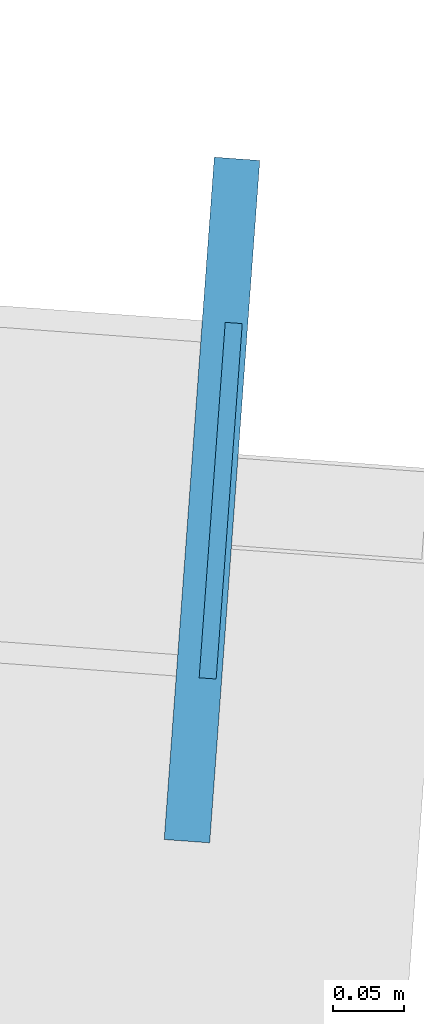
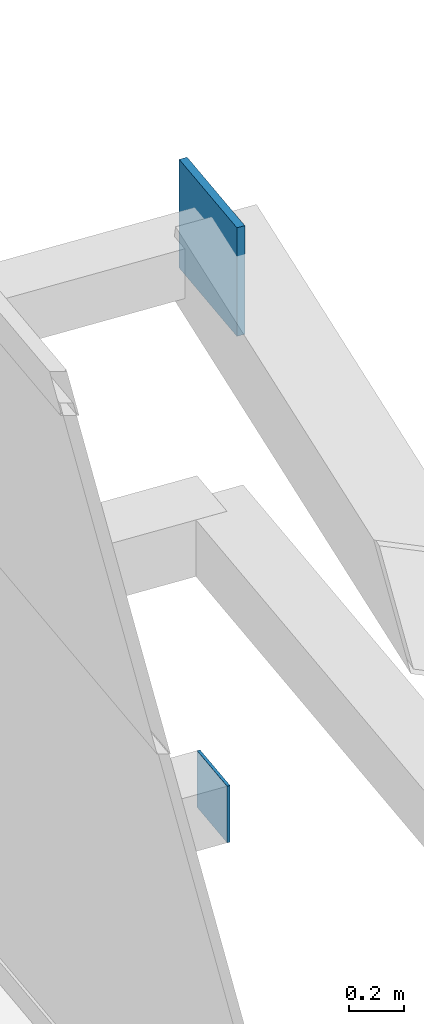
# One storey, part 28 of 34: 2 plates.
"""IFC4 building model written with IfcOpenShell, lengths in metres."""

from ifc_helpers import new_model, si_unit, direction, frame, origin, origin_2d, place, context, subcontext, project, spatial, rectangle, extrude, source, transform, mapped, material, layer, layer_set, type_object, element, save


model = new_model("IFC4")

# Units and contexts
model_context = context("Model", 3, precision=1e-05, world=origin(), true_north=direction((0.0, 1.0)))
body_context = subcontext(model_context, "Body", "Model", "MODEL_VIEW")
ifc_project = project(units=[si_unit("LENGTHUNIT", "METRE"), si_unit("AREAUNIT", "SQUARE_METRE"), si_unit("VOLUMEUNIT", "CUBIC_METRE"), si_unit("PLANEANGLEUNIT", "RADIAN"), si_unit("MASSUNIT", "GRAM", prefix="KILO")], contexts=[model_context])

# Site, building, storey
site_placement = place(None, origin())
site = spatial("IfcSite", under=ifc_project, at=site_placement, CompositionType="ELEMENT")
building_placement = place(site_placement, origin())
building = spatial("IfcBuilding", under=site, at=building_placement, Name="Taldren Reach Tower", CompositionType="ELEMENT")
storey_placement = place(building_placement, frame((0.0, 0.0, 239.75)))
storey = spatial("IfcBuildingStorey", under=building, at=storey_placement, Name="L73", CompositionType="ELEMENT", Elevation=239.75)

# Plates
ifc_material_1 = material(Name="Steel Gr 350 (C350L0)", Category="steel")
ifc_layer_1 = layer(ifc_material_1, 0.011962890625)
ifc_layer_set_1 = layer_set([ifc_layer_1], Name="Steel Gr 350 (C350L0)")
plate_type_1 = type_object("IfcPlateType", Name="PL-CAP-250", PredefinedType="SHEET", material=ifc_layer_set_1)
shared_shape_1 = source(origin(), body_context, "Body", "SweptSolid", [
    extrude(rectangle(XDim=0.011962890625, YDim=0.25, at=origin_2d()), origin(), (0.0, 0.0, 1.0), 0.25),
])
plate_1_placement = place(storey_placement, frame((59.0927734375, 30.0546875, 0.094970703125), z_axis=(0.0, 0.0, 1.0), x_axis=(0.997314477224, -0.073238197128, 0.0)))
element("IfcPlate", 1, at=plate_1_placement, inside=storey, type_object=plate_type_1, Name="Tie strut end cap plate B5-E3 L73", PredefinedType="SHEET", context=body_context, shape_type="MappedRepresentation", body=[
    mapped(shared_shape_1, transform((0.0, 0.0, 0.0), scale=1.0)),
])
ifc_material_2 = material(Name="Steel Gr 450 (C450L0)", Category="steel")
ifc_layer_2 = layer(ifc_material_2, 0.031982421875)
ifc_layer_set_2 = layer_set([ifc_layer_2], Name="Steel Gr 450 (C450L0)")
plate_type_2 = type_object("IfcPlateType", Name="PL-GUSSET-32", PredefinedType="SHEET", material=ifc_layer_set_2)
shared_shape_2 = source(origin(), body_context, "Body", "SweptSolid", [
    extrude(rectangle(XDim=0.47998046875, YDim=0.031982421875, at=origin_2d()), origin(), (0.0, 0.0, 1.0), 0.47998046875),
])
plate_2_placement = place(storey_placement, frame((59.086669921875, 30.05517578125, 2.409912109375), z_axis=(0.0, 0.0, 1.0), x_axis=(0.073238197128, 0.997314477224, 0.0)))
element("IfcPlate", 2, at=plate_2_placement, inside=storey, type_object=plate_type_2, Name="Exoskeleton star-node gusset plate B5-E3 L73", PredefinedType="SHEET", context=body_context, shape_type="MappedRepresentation", body=[
    mapped(shared_shape_2, transform((0.0, 0.0, 0.0), scale=1.0)),
])

save(model, "model.ifc")
